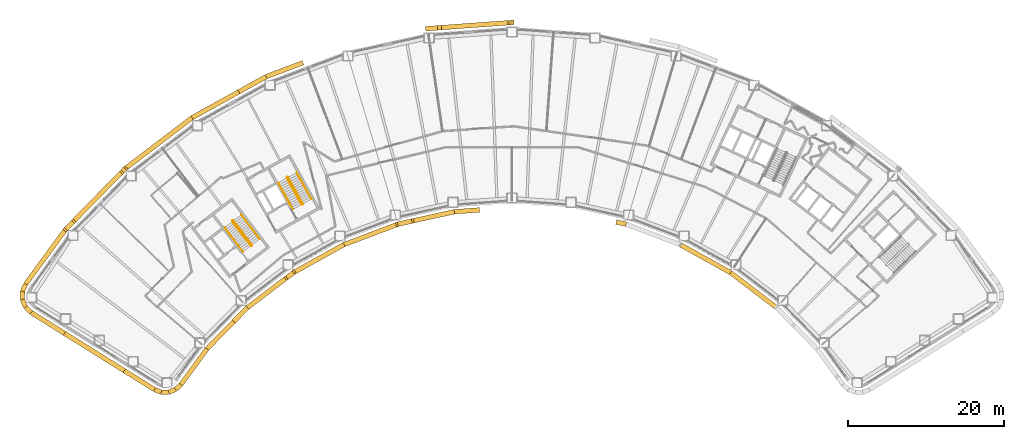
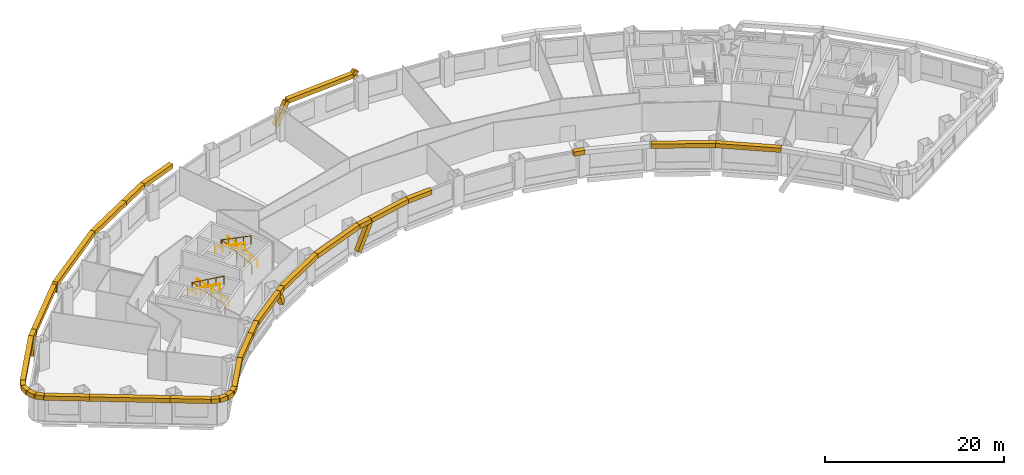
# One storey, part 10 of 11: 40 coverings, 6 railings.
"""IFC4 building model written with IfcOpenShell, lengths in metres."""

from ifc_helpers import new_model, si_unit, direction, frame, origin, origin_2d, place, context, subcontext, project, spatial, rectangle, circle, extrude, material, material_profile, profile_set, type_object, element, save


model = new_model("IFC4")

# Units and contexts
model_context = context("Model", 3, precision=1e-05, world=origin(), true_north=direction((0.0, 1.0)))
body_context = subcontext(model_context, "Body", "Model", "MODEL_VIEW")
ifc_project = project(units=[si_unit("LENGTHUNIT", "METRE"), si_unit("AREAUNIT", "SQUARE_METRE"), si_unit("VOLUMEUNIT", "CUBIC_METRE"), si_unit("PLANEANGLEUNIT", "RADIAN"), si_unit("MASSUNIT", "GRAM", prefix="KILO")], contexts=[model_context])

# Site, building, storey
site_placement = place(None, origin())
site = spatial("IfcSite", under=ifc_project, at=site_placement, CompositionType="ELEMENT")
building_placement = place(site_placement, origin())
building = spatial("IfcBuilding", under=site, at=building_placement, Name="Tuul Gate Civic Tower", CompositionType="ELEMENT")
storey_placement = place(building_placement, frame((0.0, 0.0, 35.699951171875)))
storey = spatial("IfcBuildingStorey", under=building, at=storey_placement, Name="Level 07", CompositionType="ELEMENT", Elevation=35.699951171875)

# Railings
ifc_material_1 = material(Name="Painted steel", Category="steel")
railing_type_1 = type_object("IfcRailingType", Name="Stair guard", PredefinedType="GUARDRAIL", material=ifc_material_1)
railing_1_placement = place(storey_placement, frame((-33.382080078125, -13.515380859375, 0.0)))
element("IfcRailing", 1, at=railing_1_placement, inside=storey, type_object=railing_type_1, Name="Level 07 ST-1 stair guard 1", PredefinedType="GUARDRAIL", context=body_context, shape_type="SweptSolid", body=[
    extrude(circle(Radius=0.02392578125, at=origin_2d()), frame((0.0, 0.0, 1.076171875), z_axis=(-0.795879841968, -0.605454603706, 0.0), x_axis=(0.605454603706, -0.795879841968, 0.0)), (0.0, 0.0, 1.0), 0.10009765625),
    extrude(circle(Radius=0.02392578125, at=origin_2d()), frame((-0.07958984375, -0.060546875, 1.076171875), z_axis=(0.408676696321, 0.599019267211, 0.688592241747), x_axis=(-0.826063974707, 0.563576356576, 0.0)), (0.0, 0.0, 1.0), 0.218017578125),
    extrude(circle(Radius=0.02392578125, at=origin_2d()), frame((0.009521484375, 0.070068359375, 1.22607421875), z_axis=(-0.541824460341, 0.711645023348, 0.447199748346), x_axis=(-0.795637165283, -0.60577347352, 0.0)), (0.0, 0.0, 1.0), 4.3603515625),
    extrude(circle(Radius=0.02392578125, at=origin_2d()), frame((-2.35302734375, 3.173095703125, 3.17626953125), z_axis=(-0.990893089246, 0.134650977284, 0.0), x_axis=(-0.134650977284, -0.990893089246, 0.0)), (0.0, 0.0, 1.0), 0.07080078125),
    extrude(circle(Radius=0.02392578125, at=origin_2d()), frame((-2.423095703125, 3.1826171875, 3.17626953125), z_axis=(-0.793802879778, -0.60817512943, 0.0), x_axis=(0.60817512943, -0.793802879778, 0.0)), (0.0, 0.0, 1.0), 0.099853515625),
    extrude(circle(Radius=0.02392578125, at=origin_2d()), frame((-2.50244140625, 3.121826171875, 3.17626953125), z_axis=(-0.057447065493, -0.422751481959, 0.904423031091), x_axis=(0.990893089246, -0.134650977284, 0.0)), (0.0, 0.0, 1.0), 0.165771484375),
    extrude(circle(Radius=0.02392578125, at=origin_2d()), frame((-2.511962890625, 3.0517578125, 3.326171875), z_axis=(0.541806494602, -0.71163897684, 0.447231136047), x_axis=(0.795644365679, 0.605764016233, 0.0)), (0.0, 0.0, 1.0), 4.360107421875),
    extrude(circle(Radius=0.02099609375, at=origin_2d()), origin(), (0.0, 0.0, 1.0), 1.052001953125),
    extrude(circle(Radius=0.02099609375, at=origin_2d()), frame((-0.07958984375, -0.060546875, 0.0)), (0.0, 0.0, 1.0), 1.052001953125),
    extrude(circle(Radius=0.02099609375, at=origin_2d()), frame((0.009521484375, 0.070068359375, 0.150146484375)), (0.0, 0.0, 1.0), 1.052001953125),
    extrude(circle(Radius=0.02099609375, at=origin_2d()), frame((-0.5810546875, 0.845703125, 0.6376953125)), (0.0, 0.0, 1.0), 1.052001953125),
    extrude(circle(Radius=0.02099609375, at=origin_2d()), frame((-1.171875, 1.62158203125, 1.125)), (0.0, 0.0, 1.0), 1.052001953125),
    extrude(circle(Radius=0.02099609375, at=origin_2d()), frame((-1.762451171875, 2.3974609375, 1.612548828125)), (0.0, 0.0, 1.0), 1.052001953125),
    extrude(circle(Radius=0.02099609375, at=origin_2d()), frame((-2.35302734375, 3.173095703125, 2.10009765625)), (0.0, 0.0, 1.0), 1.052001953125),
    extrude(circle(Radius=0.02099609375, at=origin_2d()), frame((-2.423095703125, 3.1826171875, 2.10009765625)), (0.0, 0.0, 1.0), 1.052001953125),
    extrude(circle(Radius=0.02099609375, at=origin_2d()), frame((-2.50244140625, 3.121826171875, 2.10009765625)), (0.0, 0.0, 1.0), 1.052001953125),
    extrude(circle(Radius=0.02099609375, at=origin_2d()), frame((-2.511962890625, 3.0517578125, 2.25)), (0.0, 0.0, 1.0), 1.052001953125),
    extrude(circle(Radius=0.02099609375, at=origin_2d()), frame((-1.92138671875, 2.276123046875, 2.737548828125)), (0.0, 0.0, 1.0), 1.052001953125),
    extrude(circle(Radius=0.02099609375, at=origin_2d()), frame((-1.330810546875, 1.50048828125, 3.22509765625)), (0.0, 0.0, 1.0), 1.052001953125),
    extrude(circle(Radius=0.02099609375, at=origin_2d()), frame((-0.740234375, 0.724609375, 3.71240234375)), (0.0, 0.0, 1.0), 1.052001953125),
    extrude(circle(Radius=0.02099609375, at=origin_2d()), frame((-0.149658203125, -0.051025390625, 4.199951171875)), (0.0, 0.0, 1.0), 1.052001953125),
])
railing_2_placement = place(storey_placement, frame((-26.857666015625, -8.247314453125, 0.0)))
element("IfcRailing", 2, at=railing_2_placement, inside=storey, type_object=railing_type_1, Name="Level 07 ST-2 stair guard 1", PredefinedType="GUARDRAIL", context=body_context, shape_type="SweptSolid", body=[
    extrude(circle(Radius=0.02392578125, at=origin_2d()), frame((0.0, 0.0, 1.076171875), z_axis=(-0.874616555828, -0.48481530532, 0.0), x_axis=(0.48481530532, -0.874616555828, 0.0)), (0.0, 0.0, 1.0), 0.10009765625),
    extrude(circle(Radius=0.02392578125, at=origin_2d()), frame((-0.087646484375, -0.048583984375, 1.076171875), z_axis=(0.490435707169, 0.534104639999, 0.688625479244), x_axis=(-0.736576986774, 0.676353711126, 0.0)), (0.0, 0.0, 1.0), 0.218017578125),
    extrude(circle(Radius=0.02392578125, at=origin_2d()), frame((0.019287109375, 0.06787109375, 1.22607421875), z_axis=(-0.43354991378, 0.782327185242, 0.447212083348), x_axis=(-0.874667644053, -0.484723129681, 0.0)), (0.0, 0.0, 1.0), 4.3603515625),
    extrude(circle(Radius=0.02392578125, at=origin_2d()), frame((-1.87109375, 3.47900390625, 3.17626953125), z_axis=(-0.961263487578, 0.275631107549, 0.0), x_axis=(-0.275631107549, -0.961263487578, 0.0)), (0.0, 0.0, 1.0), 0.07080078125),
    extrude(circle(Radius=0.02392578125, at=origin_2d()), frame((-1.939208984375, 3.49853515625, 3.17626953125), z_axis=(-0.874042088414, -0.485850211157, 0.0), x_axis=(0.485850211157, -0.874042088414, 0.0)), (0.0, 0.0, 1.0), 0.10009765625),
    extrude(circle(Radius=0.02392578125, at=origin_2d()), frame((-2.026611328125, 3.449951171875, 3.17626953125), z_axis=(-0.117866478395, -0.409586012422, 0.90462522168), x_axis=(0.961000426733, -0.276546885391, 0.0)), (0.0, 0.0, 1.0), 0.165771484375),
    extrude(circle(Radius=0.02392578125, at=origin_2d()), frame((-2.046142578125, 3.382080078125, 3.326171875), z_axis=(0.433595379963, -0.782308193291, 0.447201226726), x_axis=(0.874641102302, 0.484771020343, 0.0)), (0.0, 0.0, 1.0), 4.3603515625),
    extrude(circle(Radius=0.02099609375, at=origin_2d()), origin(), (0.0, 0.0, 1.0), 1.052001953125),
    extrude(circle(Radius=0.02099609375, at=origin_2d()), frame((-0.087646484375, -0.048583984375, 0.0)), (0.0, 0.0, 1.0), 1.052001953125),
    extrude(circle(Radius=0.02099609375, at=origin_2d()), frame((0.019287109375, 0.06787109375, 0.150146484375)), (0.0, 0.0, 1.0), 1.052001953125),
    extrude(circle(Radius=0.02099609375, at=origin_2d()), frame((-0.453369140625, 0.920654296875, 0.6376953125)), (0.0, 0.0, 1.0), 1.052001953125),
    extrude(circle(Radius=0.02099609375, at=origin_2d()), frame((-0.92578125, 1.7734375, 1.125)), (0.0, 0.0, 1.0), 1.052001953125),
    extrude(circle(Radius=0.02099609375, at=origin_2d()), frame((-1.3984375, 2.626220703125, 1.612548828125)), (0.0, 0.0, 1.0), 1.052001953125),
    extrude(circle(Radius=0.02099609375, at=origin_2d()), frame((-1.87109375, 3.47900390625, 2.10009765625)), (0.0, 0.0, 1.0), 1.052001953125),
    extrude(circle(Radius=0.02099609375, at=origin_2d()), frame((-1.939208984375, 3.49853515625, 2.10009765625)), (0.0, 0.0, 1.0), 1.052001953125),
    extrude(circle(Radius=0.02099609375, at=origin_2d()), frame((-2.026611328125, 3.449951171875, 2.10009765625)), (0.0, 0.0, 1.0), 1.052001953125),
    extrude(circle(Radius=0.02099609375, at=origin_2d()), frame((-2.046142578125, 3.382080078125, 2.25)), (0.0, 0.0, 1.0), 1.052001953125),
    extrude(circle(Radius=0.02099609375, at=origin_2d()), frame((-1.573486328125, 2.529296875, 2.737548828125)), (0.0, 0.0, 1.0), 1.052001953125),
    extrude(circle(Radius=0.02099609375, at=origin_2d()), frame((-1.100830078125, 1.676513671875, 3.22509765625)), (0.0, 0.0, 1.0), 1.052001953125),
    extrude(circle(Radius=0.02099609375, at=origin_2d()), frame((-0.628173828125, 0.82373046875, 3.71240234375)), (0.0, 0.0, 1.0), 1.052001953125),
    extrude(circle(Radius=0.02099609375, at=origin_2d()), frame((-0.155517578125, -0.029052734375, 4.199951171875)), (0.0, 0.0, 1.0), 1.052001953125),
])
ifc_material_2 = material(Name="Painted steel", Category="steel")
railing_type_2 = type_object("IfcRailingType", Name="Stair handrail", PredefinedType="HANDRAIL", material=ifc_material_2)
railing_3_placement = place(storey_placement, frame((-32.3779296875, -12.688232421875, 0.150146484375)))
element("IfcRailing", 3, at=railing_3_placement, inside=storey, type_object=railing_type_2, Name="Level 07 ST-1 stair handrail 1", PredefinedType="HANDRAIL", context=body_context, shape_type="SweptSolid", body=[
    extrude(circle(Radius=0.02392578125, at=origin_2d()), frame((0.0, 0.0, 0.8759765625), z_axis=(-0.541824460341, 0.711645023348, 0.447199748346), x_axis=(-0.795637165283, -0.60577347352, 0.0)), (0.0, 0.0, 1.0), 4.3603515625),
    extrude(circle(Radius=0.02099609375, at=origin_2d()), origin(), (0.0, 0.0, 1.0), 0.851806640625),
    extrude(circle(Radius=0.02099609375, at=origin_2d()), frame((-0.590576171875, 0.77587890625, 0.487548828125)), (0.0, 0.0, 1.0), 0.851806640625),
    extrude(circle(Radius=0.02099609375, at=origin_2d()), frame((-1.18115234375, 1.551513671875, 0.97509765625)), (0.0, 0.0, 1.0), 0.851806640625),
    extrude(circle(Radius=0.02099609375, at=origin_2d()), frame((-1.77197265625, 2.3271484375, 1.46240234375)), (0.0, 0.0, 1.0), 0.851806640625),
    extrude(circle(Radius=0.02099609375, at=origin_2d()), frame((-2.362548828125, 3.10302734375, 1.949951171875)), (0.0, 0.0, 1.0), 0.851806640625),
])
railing_4_placement = place(storey_placement, frame((-36.888671875, -11.220703125, 2.25)))
element("IfcRailing", 4, at=railing_4_placement, inside=storey, type_object=railing_type_2, Name="Level 07 ST-1 stair handrail 2", PredefinedType="HANDRAIL", context=body_context, shape_type="SweptSolid", body=[
    extrude(circle(Radius=0.02392578125, at=origin_2d()), frame((0.0, 0.0, 0.8759765625), z_axis=(0.541824460341, -0.711645023348, 0.447199748346), x_axis=(0.795637165283, 0.60577347352, 0.0)), (0.0, 0.0, 1.0), 4.3603515625),
    extrude(circle(Radius=0.02099609375, at=origin_2d()), origin(), (0.0, 0.0, 1.0), 0.851806640625),
    extrude(circle(Radius=0.02099609375, at=origin_2d()), frame((0.590576171875, -0.77587890625, 0.487548828125)), (0.0, 0.0, 1.0), 0.851806640625),
    extrude(circle(Radius=0.02099609375, at=origin_2d()), frame((1.18115234375, -1.551513671875, 0.97509765625)), (0.0, 0.0, 1.0), 0.851806640625),
    extrude(circle(Radius=0.02099609375, at=origin_2d()), frame((1.77197265625, -2.3271484375, 1.46240234375)), (0.0, 0.0, 1.0), 0.851806640625),
    extrude(circle(Radius=0.02099609375, at=origin_2d()), frame((2.362548828125, -3.10302734375, 1.949951171875)), (0.0, 0.0, 1.0), 0.851806640625),
])
railing_5_placement = place(storey_placement, frame((-25.744873046875, -7.573486328125, 0.150146484375)))
element("IfcRailing", 5, at=railing_5_placement, inside=storey, type_object=railing_type_2, Name="Level 07 ST-2 stair handrail 1", PredefinedType="HANDRAIL", context=body_context, shape_type="SweptSolid", body=[
    extrude(circle(Radius=0.02392578125, at=origin_2d()), frame((0.0, 0.0, 0.8759765625), z_axis=(-0.433595379963, 0.782308193291, 0.447201226726), x_axis=(-0.874641102302, -0.484771020343, 0.0)), (0.0, 0.0, 1.0), 4.3603515625),
    extrude(circle(Radius=0.02099609375, at=origin_2d()), origin(), (0.0, 0.0, 1.0), 0.851806640625),
    extrude(circle(Radius=0.02099609375, at=origin_2d()), frame((-0.47265625, 0.852783203125, 0.487548828125)), (0.0, 0.0, 1.0), 0.851806640625),
    extrude(circle(Radius=0.02099609375, at=origin_2d()), frame((-0.9453125, 1.70556640625, 0.97509765625)), (0.0, 0.0, 1.0), 0.851806640625),
    extrude(circle(Radius=0.02099609375, at=origin_2d()), frame((-1.41796875, 2.558349609375, 1.46240234375)), (0.0, 0.0, 1.0), 0.851806640625),
    extrude(circle(Radius=0.02099609375, at=origin_2d()), frame((-1.890625, 3.4111328125, 1.949951171875)), (0.0, 0.0, 1.0), 0.851806640625),
])
railing_6_placement = place(storey_placement, frame((-29.9970703125, -5.47119140625, 2.25)))
element("IfcRailing", 6, at=railing_6_placement, inside=storey, type_object=railing_type_2, Name="Level 07 ST-2 stair handrail 2", PredefinedType="HANDRAIL", context=body_context, shape_type="SweptSolid", body=[
    extrude(circle(Radius=0.02392578125, at=origin_2d()), frame((0.0, 0.0, 0.8759765625), z_axis=(0.433595379963, -0.782308193291, 0.447201226726), x_axis=(0.874641102302, 0.484771020343, 0.0)), (0.0, 0.0, 1.0), 4.3603515625),
    extrude(circle(Radius=0.02099609375, at=origin_2d()), origin(), (0.0, 0.0, 1.0), 0.851806640625),
    extrude(circle(Radius=0.02099609375, at=origin_2d()), frame((0.47265625, -0.852783203125, 0.487548828125)), (0.0, 0.0, 1.0), 0.851806640625),
    extrude(circle(Radius=0.02099609375, at=origin_2d()), frame((0.9453125, -1.70556640625, 0.97509765625)), (0.0, 0.0, 1.0), 0.851806640625),
    extrude(circle(Radius=0.02099609375, at=origin_2d()), frame((1.41796875, -2.558349609375, 1.46240234375)), (0.0, 0.0, 1.0), 0.851806640625),
    extrude(circle(Radius=0.02099609375, at=origin_2d()), frame((1.890625, -3.4111328125, 1.949951171875)), (0.0, 0.0, 1.0), 0.851806640625),
])

# Coverings
ifc_material_3 = material(Name="Terracotta baguette", Category="masonry")
ifc_material_profile = material_profile(ifc_material_3, rectangle(XDim=0.60009765625, YDim=0.60009765625, at=origin_2d()), Name="Terracotta baguette screen frame")
ifc_profile_set = profile_set([ifc_material_profile], Name="Terracotta baguette")
covering_type = type_object("IfcCoveringType", Name="Terracotta baguette screen frame", PredefinedType="CLADDING", material=ifc_profile_set)
for number, where, z_axis, x_axis, name in (
    (7, (0.0, 15.10205078125, 4.34912109375), (-0.473946957273, -0.034437562745, -0.879879728124), (0.072470160291, -0.997370581012, 0.0), "Baguette 70"),
    (8, (-0.268798828125, 15.08251953125, 3.85009765625), (0.473946957273, 0.034437562745, -0.879879728124), (-0.072470160291, 0.997370581012, 0.0), "Baguette 73"),
):
    element("IfcCovering", number, at=place(storey_placement, frame(where, z_axis=z_axis, x_axis=x_axis)), inside=storey, type_object=covering_type, Name=name, PredefinedType="CLADDING", context=body_context, shape_type="SweptSolid", body=[
        extrude(rectangle(XDim=0.60009765625, YDim=0.60009765625, at=origin_2d()), origin(), (0.0, 0.0, 1.0), 0.567138671875),
    ])
covering_1_placement = place(storey_placement, frame((-0.268798828125, 15.08251953125, 3.85009765625), z_axis=(-0.997386201486, -0.072254862018, 0.0), x_axis=(0.072254862018, -0.997386201486, 0.0)))
element("IfcCovering", 9, at=covering_1_placement, inside=storey, type_object=covering_type, Name="Baguette 75", PredefinedType="CLADDING", context=body_context, shape_type="SweptSolid", body=[
    extrude(rectangle(XDim=0.60009765625, YDim=0.60009765625, at=origin_2d()), origin(), (0.0, 0.0, 1.0), 9.072265625),
])
covering_2_placement = place(storey_placement, frame((-9.3173828125, 14.427001953125, 3.85009765625), z_axis=(-0.473990641609, -0.034290320545, -0.879861946889), x_axis=(0.072155305808, -0.997393408763, 0.0)))
element("IfcCovering", 10, at=covering_2_placement, inside=storey, type_object=covering_type, Name="Baguette 79", PredefinedType="CLADDING", context=body_context, shape_type="SweptSolid", body=[
    extrude(rectangle(XDim=0.60009765625, YDim=0.60009765625, at=origin_2d()), origin(), (0.0, 0.0, 1.0), 3.175537109375),
])
covering_3_placement = place(storey_placement, frame((-26.830078125, 9.93603515625, 3.85009765625), z_axis=(-0.935377183331, -0.353651699988, 0.0), x_axis=(0.353651699988, -0.935377183331, 0.0)))
element("IfcCovering", 11, at=covering_3_placement, inside=storey, type_object=covering_type, Name="Baguette 96", PredefinedType="CLADDING", context=body_context, shape_type="SweptSolid", body=[
    extrude(rectangle(XDim=0.60009765625, YDim=0.60009765625, at=origin_2d()), origin(), (0.0, 0.0, 1.0), 5.06640625),
])
covering_4_placement = place(storey_placement, frame((-31.569091796875, 8.144287109375, 3.85009765625), z_axis=(-0.874631167379, -0.484788944851, 0.0), x_axis=(0.484788944851, -0.874631167379, 0.0)))
element("IfcCovering", 12, at=covering_4_placement, inside=storey, type_object=covering_type, Name="Baguette 97", PredefinedType="CLADDING", context=body_context, shape_type="SweptSolid", body=[
    extrude(rectangle(XDim=0.60009765625, YDim=0.60009765625, at=origin_2d()), origin(), (0.0, 0.0, 1.0), 4.006103515625),
])
covering_5_placement = place(storey_placement, frame((-50.00732421875, -4.01025390625, 3.85009765625), z_axis=(0.332638810643, 0.339369245722, -0.879874955157), x_axis=(-0.714152927454, 0.699989711502, 0.0)))
element("IfcCovering", 13, at=covering_5_placement, inside=storey, type_object=covering_type, Name="Baguette 115", PredefinedType="CLADDING", context=body_context, shape_type="SweptSolid", body=[
    extrude(rectangle(XDim=0.60009765625, YDim=0.60009765625, at=origin_2d()), origin(), (0.0, 0.0, 1.0), 0.943115234375),
])
covering_6_placement = place(storey_placement, frame((-50.00732421875, -4.01025390625, 3.85009765625), z_axis=(-0.69999391998, -0.714148802415, 0.0), x_axis=(0.714148802415, -0.69999391998, 0.0)))
element("IfcCovering", 14, at=covering_6_placement, inside=storey, type_object=covering_type, Name="Baguette 117", PredefinedType="CLADDING", context=body_context, shape_type="SweptSolid", body=[
    extrude(rectangle(XDim=0.60009765625, YDim=0.60009765625, at=origin_2d()), origin(), (0.0, 0.0, 1.0), 9.072265625),
])
covering_7_placement = place(storey_placement, frame((-56.35791015625, -10.4892578125, 3.85009765625), z_axis=(-0.332611284769, -0.339322780819, -0.879903280856), x_axis=(0.714133971277, -0.700009050705, 0.0)))
element("IfcCovering", 15, at=covering_7_placement, inside=storey, type_object=covering_type, Name="Baguette 121", PredefinedType="CLADDING", context=body_context, shape_type="SweptSolid", body=[
    extrude(rectangle(XDim=0.60009765625, YDim=0.60009765625, at=origin_2d()), origin(), (0.0, 0.0, 1.0), 2.801025390625),
])
covering_8_placement = place(storey_placement, frame((-57.4453125, -24.811767578125, 3.85009765625), z_axis=(0.848058898511, -0.529901976461, 0.0), x_axis=(0.529901976461, 0.848058898511, 0.0)))
element("IfcCovering", 16, at=covering_8_placement, inside=storey, type_object=covering_type, Name="Baguette 150", PredefinedType="CLADDING", context=body_context, shape_type="SweptSolid", body=[
    extrude(rectangle(XDim=0.60009765625, YDim=0.60009765625, at=origin_2d()), origin(), (0.0, 0.0, 1.0), 9.05322265625),
])
covering_9_placement = place(storey_placement, frame((-35.70751953125, -23.27880859375, 3.85009765625), z_axis=(0.70003698075, 0.714106592591, 0.0), x_axis=(-0.714106592591, 0.70003698075, 0.0)))
element("IfcCovering", 17, at=covering_9_placement, inside=storey, type_object=covering_type, Name="Baguette 181", PredefinedType="CLADDING", context=body_context, shape_type="SweptSolid", body=[
    extrude(rectangle(XDim=0.60009765625, YDim=0.60009765625, at=origin_2d()), origin(), (0.0, 0.0, 1.0), 2.4814453125),
])
covering_10_placement = place(storey_placement, frame((-33.970458984375, -21.5068359375, 3.85009765625), z_axis=(0.795582127789, 0.60584575425, 0.0), x_axis=(-0.60584575425, 0.795582127789, 0.0)))
element("IfcCovering", 18, at=covering_10_placement, inside=storey, type_object=covering_type, Name="Baguette 182", PredefinedType="CLADDING", context=body_context, shape_type="SweptSolid", body=[
    extrude(rectangle(XDim=0.60009765625, YDim=0.60009765625, at=origin_2d()), origin(), (0.0, 0.0, 1.0), 6.37060546875),
])
covering_11_placement = place(storey_placement, frame((-28.902099609375, -17.647216796875, 3.85009765625), z_axis=(0.37085661759, 0.282407368625, -0.884709809675), x_axis=(-0.605839521282, 0.795586874234, 0.0)))
element("IfcCovering", 19, at=covering_11_placement, inside=storey, type_object=covering_type, Name="Baguette 186", PredefinedType="CLADDING", context=body_context, shape_type="SweptSolid", body=[
    extrude(rectangle(XDim=0.60009765625, YDim=0.60009765625, at=origin_2d()), origin(), (0.0, 0.0, 1.0), 2.246826171875),
])
covering_12_placement = place(storey_placement, frame((-12.864501953125, -10.40087890625, 3.85009765625), z_axis=(-0.455228552441, -0.100321546982, -0.884704782542), x_axis=(0.215212210255, -0.976567306721, 0.0)))
element("IfcCovering", 20, at=covering_12_placement, inside=storey, type_object=covering_type, Name="Baguette 204", PredefinedType="CLADDING", context=body_context, shape_type="SweptSolid", body=[
    extrude(rectangle(XDim=0.60009765625, YDim=0.60009765625, at=origin_2d()), origin(), (0.0, 0.0, 1.0), 3.906005859375),
])
covering_13_placement = place(storey_placement, frame((-12.864501953125, -10.40087890625, 3.85009765625), z_axis=(0.976556146559, 0.21526284542, 0.0), x_axis=(-0.21526284542, 0.976556146559, 0.0)))
element("IfcCovering", 21, at=covering_13_placement, inside=storey, type_object=covering_type, Name="Baguette 206", PredefinedType="CLADDING", context=body_context, shape_type="SweptSolid", body=[
    extrude(rectangle(XDim=0.60009765625, YDim=0.60009765625, at=origin_2d()), origin(), (0.0, 0.0, 1.0), 5.596923828125),
])
covering_14_placement = place(storey_placement, frame((-7.398681640625, -9.196044921875, 3.85009765625), z_axis=(0.997393564609, 0.072153151538, 0.0), x_axis=(-0.072153151538, 0.997393564609, 0.0)))
element("IfcCovering", 22, at=covering_14_placement, inside=storey, type_object=covering_type, Name="Baguette 207", PredefinedType="CLADDING", context=body_context, shape_type="SweptSolid", body=[
    extrude(rectangle(XDim=0.60009765625, YDim=0.60009765625, at=origin_2d()), origin(), (0.0, 0.0, 1.0), 3.255126953125),
])
covering_15_placement = place(storey_placement, frame((13.3779296875, -10.513916015625, 3.85009765625), z_axis=(0.97654942651, -0.215293329165, 0.0), x_axis=(0.215293329165, 0.97654942651, 0.0)))
element("IfcCovering", 23, at=covering_15_placement, inside=storey, type_object=covering_type, Name="Baguette 229", PredefinedType="CLADDING", context=body_context, shape_type="SweptSolid", body=[
    extrude(rectangle(XDim=0.60009765625, YDim=0.60009765625, at=origin_2d()), origin(), (0.0, 0.0, 1.0), 1.294921875),
])
covering_16_placement = place(storey_placement, frame((-35.072998046875, 6.2021484375, 3.85009765625), z_axis=(-0.874624559601, -0.484800866071, 0.0), x_axis=(0.484800866071, -0.874624559601, 0.0)))
element("IfcCovering", 24, at=covering_16_placement, inside=storey, type_object=covering_type, Name="Baguette 305", PredefinedType="CLADDING", context=body_context, shape_type="SweptSolid", body=[
    extrude(rectangle(XDim=0.60009765625, YDim=0.60009765625, at=origin_2d()), origin(), (0.0, 0.0, 1.0), 6.84521484375),
])
covering_17_placement = place(storey_placement, frame((-41.06005859375, 2.883544921875, 3.85009765625), z_axis=(-0.795618643442, -0.605797799771, 0.0), x_axis=(0.605797799771, -0.795618643442, 0.0)))
element("IfcCovering", 25, at=covering_17_placement, inside=storey, type_object=covering_type, Name="Baguette 306", PredefinedType="CLADDING", context=body_context, shape_type="SweptSolid", body=[
    extrude(rectangle(XDim=0.60009765625, YDim=0.60009765625, at=origin_2d()), origin(), (0.0, 0.0, 1.0), 10.851318359375),
])
covering_18_placement = place(storey_placement, frame((-49.693603515625, -3.690185546875, 3.85009765625), z_axis=(-0.699989711502, -0.714152927454, 0.0), x_axis=(0.714152927454, -0.699989711502, 0.0)))
element("IfcCovering", 26, at=covering_18_placement, inside=storey, type_object=covering_type, Name="Baguette 307", PredefinedType="CLADDING", context=body_context, shape_type="SweptSolid", body=[
    extrude(rectangle(XDim=0.60009765625, YDim=0.60009765625, at=origin_2d()), origin(), (0.0, 0.0, 1.0), 0.4482421875),
])
covering_19_placement = place(storey_placement, frame((-56.35791015625, -10.4892578125, 3.85009765625), z_axis=(-0.700009050705, -0.714133971277, 0.0), x_axis=(0.714133971277, -0.700009050705, 0.0)))
element("IfcCovering", 27, at=covering_19_placement, inside=storey, type_object=covering_type, Name="Baguette 314", PredefinedType="CLADDING", context=body_context, shape_type="SweptSolid", body=[
    extrude(rectangle(XDim=0.60009765625, YDim=0.60009765625, at=origin_2d()), origin(), (0.0, 0.0, 1.0), 1.330810546875),
])
covering_20_placement = place(storey_placement, frame((-57.28955078125, -11.439697265625, 3.85009765625), z_axis=(-0.589817537275, -0.80753654575, 0.0), x_axis=(0.80753654575, -0.589817537275, 0.0)))
element("IfcCovering", 28, at=covering_20_placement, inside=storey, type_object=covering_type, Name="Baguette 315", PredefinedType="CLADDING", context=body_context, shape_type="SweptSolid", body=[
    extrude(rectangle(XDim=0.60009765625, YDim=0.60009765625, at=origin_2d()), origin(), (0.0, 0.0, 1.0), 8.734130859375),
])
covering_21_placement = place(storey_placement, frame((-62.441162109375, -18.492919921875, 3.85009765625), z_axis=(-0.412928742672, -0.910763335601, 0.0), x_axis=(0.910763335601, -0.412928742672, 0.0)))
element("IfcCovering", 29, at=covering_21_placement, inside=storey, type_object=covering_type, Name="Baguette 316", PredefinedType="CLADDING", context=body_context, shape_type="SweptSolid", body=[
    extrude(rectangle(XDim=0.60009765625, YDim=0.60009765625, at=origin_2d()), origin(), (0.0, 0.0, 1.0), 0.9892578125),
])
covering_22_placement = place(storey_placement, frame((-62.849609375, -19.393798828125, 3.85009765625), z_axis=(-0.014650442147, -0.999892676513, 0.0), x_axis=(0.999892676513, -0.014650442147, 0.0)))
element("IfcCovering", 30, at=covering_22_placement, inside=storey, type_object=covering_type, Name="Baguette 317", PredefinedType="CLADDING", context=body_context, shape_type="SweptSolid", body=[
    extrude(rectangle(XDim=0.60009765625, YDim=0.60009765625, at=origin_2d()), origin(), (0.0, 0.0, 1.0), 1.06640625),
])
covering_23_placement = place(storey_placement, frame((-62.865234375, -20.460205078125, 3.85009765625), z_axis=(0.385784883999, -0.922588761734, 0.0), x_axis=(0.922588761734, 0.385784883999, 0.0)))
element("IfcCovering", 31, at=covering_23_placement, inside=storey, type_object=covering_type, Name="Baguette 318", PredefinedType="CLADDING", context=body_context, shape_type="SweptSolid", body=[
    extrude(rectangle(XDim=0.60009765625, YDim=0.60009765625, at=origin_2d()), origin(), (0.0, 0.0, 1.0), 1.06689453125),
])
covering_24_placement = place(storey_placement, frame((-62.45361328125, -21.444580078125, 3.85009765625), z_axis=(0.722137314744, -0.691749737011, 0.0), x_axis=(0.691749737011, 0.722137314744, 0.0)))
element("IfcCovering", 32, at=covering_24_placement, inside=storey, type_object=covering_type, Name="Baguette 319", PredefinedType="CLADDING", context=body_context, shape_type="SweptSolid", body=[
    extrude(rectangle(XDim=0.60009765625, YDim=0.60009765625, at=origin_2d()), origin(), (0.0, 0.0, 1.0), 0.98828125),
])
covering_25_placement = place(storey_placement, frame((-61.739990234375, -22.128173828125, 3.85009765625), z_axis=(0.848049759371, -0.529916602524, 0.0), x_axis=(0.529916602524, 0.848049759371, 0.0)))
element("IfcCovering", 33, at=covering_25_placement, inside=storey, type_object=covering_type, Name="Baguette 320", PredefinedType="CLADDING", context=body_context, shape_type="SweptSolid", body=[
    extrude(rectangle(XDim=0.60009765625, YDim=0.60009765625, at=origin_2d()), origin(), (0.0, 0.0, 1.0), 5.064208984375),
])
covering_26_placement = place(storey_placement, frame((-49.767578125, -29.609130859375, 3.85009765625), z_axis=(0.848046231168, -0.529922248827, 0.0), x_axis=(0.529922248827, 0.848046231168, 0.0)))
element("IfcCovering", 34, at=covering_26_placement, inside=storey, type_object=covering_type, Name="Baguette 329", PredefinedType="CLADDING", context=body_context, shape_type="SweptSolid", body=[
    extrude(rectangle(XDim=0.60009765625, YDim=0.60009765625, at=origin_2d()), origin(), (0.0, 0.0, 1.0), 4.57861328125),
])
covering_27_placement = place(storey_placement, frame((-45.884765625, -32.035400390625, 3.85009765625), z_axis=(0.93189278144, -0.362733847194, 0.0), x_axis=(0.362733847194, 0.93189278144, 0.0)))
element("IfcCovering", 35, at=covering_27_placement, inside=storey, type_object=covering_type, Name="Baguette 330", PredefinedType="CLADDING", context=body_context, shape_type="SweptSolid", body=[
    extrude(rectangle(XDim=0.60009765625, YDim=0.60009765625, at=origin_2d()), origin(), (0.0, 0.0, 1.0), 0.901123046875),
])
covering_28_placement = place(storey_placement, frame((-45.044921875, -32.3623046875, 3.85009765625), z_axis=(0.999996192163, 0.002759648297, 0.0), x_axis=(-0.002759648297, 0.999996192163, 0.0)))
element("IfcCovering", 36, at=covering_28_placement, inside=storey, type_object=covering_type, Name="Baguette 331", PredefinedType="CLADDING", context=body_context, shape_type="SweptSolid", body=[
    extrude(rectangle(XDim=0.60009765625, YDim=0.60009765625, at=origin_2d()), origin(), (0.0, 0.0, 1.0), 0.97314453125),
])
covering_29_placement = place(storey_placement, frame((-44.07177734375, -32.359619140625, 3.85009765625), z_axis=(0.929647485715, 0.36845020329, 0.0), x_axis=(-0.36845020329, 0.929647485715, 0.0)))
element("IfcCovering", 37, at=covering_29_placement, inside=storey, type_object=covering_type, Name="Baguette 332", PredefinedType="CLADDING", context=body_context, shape_type="SweptSolid", body=[
    extrude(rectangle(XDim=0.60009765625, YDim=0.60009765625, at=origin_2d()), origin(), (0.0, 0.0, 1.0), 0.97412109375),
])
covering_30_placement = place(storey_placement, frame((-43.166259765625, -32.000732421875, 3.85009765625), z_axis=(0.730001285686, 0.683445771731, 0.0), x_axis=(-0.683445771731, 0.730001285686, 0.0)))
element("IfcCovering", 38, at=covering_30_placement, inside=storey, type_object=covering_type, Name="Baguette 333", PredefinedType="CLADDING", context=body_context, shape_type="SweptSolid", body=[
    extrude(rectangle(XDim=0.60009765625, YDim=0.60009765625, at=origin_2d()), origin(), (0.0, 0.0, 1.0), 0.902099609375),
])
covering_31_placement = place(storey_placement, frame((-42.5078125, -31.38427734375, 3.85009765625), z_axis=(0.589729447422, 0.807600878432, 0.0), x_axis=(-0.807600878432, 0.589729447422, 0.0)))
element("IfcCovering", 39, at=covering_31_placement, inside=storey, type_object=covering_type, Name="Baguette 334", PredefinedType="CLADDING", context=body_context, shape_type="SweptSolid", body=[
    extrude(rectangle(XDim=0.60009765625, YDim=0.60009765625, at=origin_2d()), origin(), (0.0, 0.0, 1.0), 5.671142578125),
])
covering_32_placement = place(storey_placement, frame((-39.163330078125, -26.80419921875, 3.85009765625), z_axis=(0.700024437116, 0.71411888887, 0.0), x_axis=(-0.71411888887, 0.700024437116, 0.0)))
element("IfcCovering", 40, at=covering_32_placement, inside=storey, type_object=covering_type, Name="Baguette 335", PredefinedType="CLADDING", context=body_context, shape_type="SweptSolid", body=[
    extrude(rectangle(XDim=0.60009765625, YDim=0.60009765625, at=origin_2d()), origin(), (0.0, 0.0, 1.0), 4.936767578125),
])
covering_33_placement = place(storey_placement, frame((-28.902099609375, -17.647216796875, 3.85009765625), z_axis=(0.795586874234, 0.605839521282, 0.0), x_axis=(-0.605839521282, 0.795586874234, 0.0)))
element("IfcCovering", 41, at=covering_33_placement, inside=storey, type_object=covering_type, Name="Baguette 346", PredefinedType="CLADDING", context=body_context, shape_type="SweptSolid", body=[
    extrude(rectangle(XDim=0.60009765625, YDim=0.60009765625, at=origin_2d()), origin(), (0.0, 0.0, 1.0), 1.04736328125),
])
covering_34_placement = place(storey_placement, frame((-28.06884765625, -17.0126953125, 3.85009765625), z_axis=(0.874616400337, 0.484815585828, 0.0), x_axis=(-0.484815585828, 0.874616400337, 0.0)))
element("IfcCovering", 42, at=covering_34_placement, inside=storey, type_object=covering_type, Name="Baguette 347", PredefinedType="CLADDING", context=body_context, shape_type="SweptSolid", body=[
    extrude(rectangle(XDim=0.60009765625, YDim=0.60009765625, at=origin_2d()), origin(), (0.0, 0.0, 1.0), 7.418212890625),
])
covering_35_placement = place(storey_placement, frame((-21.580810546875, -13.416259765625, 3.85009765625), z_axis=(0.935363965038, 0.353686659217, 0.0), x_axis=(-0.353686659217, 0.935363965038, 0.0)))
element("IfcCovering", 43, at=covering_35_placement, inside=storey, type_object=covering_type, Name="Baguette 348", PredefinedType="CLADDING", context=body_context, shape_type="SweptSolid", body=[
    extrude(rectangle(XDim=0.60009765625, YDim=0.60009765625, at=origin_2d()), origin(), (0.0, 0.0, 1.0), 7.417724609375),
])
covering_36_placement = place(storey_placement, frame((-14.642578125, -10.792724609375, 3.85009765625), z_axis=(0.976567306721, 0.215212210255, 0.0), x_axis=(-0.215212210255, 0.976567306721, 0.0)))
element("IfcCovering", 44, at=covering_36_placement, inside=storey, type_object=covering_type, Name="Baguette 349", PredefinedType="CLADDING", context=body_context, shape_type="SweptSolid", body=[
    extrude(rectangle(XDim=0.60009765625, YDim=0.60009765625, at=origin_2d()), origin(), (0.0, 0.0, 1.0), 1.82080078125),
])
covering_37_placement = place(storey_placement, frame((21.70263671875, -13.48388671875, 3.85009765625), z_axis=(0.874622022886, -0.484805442506, 0.0), x_axis=(0.484805442506, 0.874622022886, 0.0)))
element("IfcCovering", 45, at=covering_37_placement, inside=storey, type_object=covering_type, Name="Baguette 364", PredefinedType="CLADDING", context=body_context, shape_type="SweptSolid", body=[
    extrude(rectangle(XDim=0.60009765625, YDim=0.60009765625, at=origin_2d()), origin(), (0.0, 0.0, 1.0), 7.27880859375),
])
covering_38_placement = place(storey_placement, frame((28.06884765625, -17.0126953125, 3.85009765625), z_axis=(0.795582797942, -0.60584487422, 0.0), x_axis=(0.60584487422, 0.795582797942, 0.0)))
element("IfcCovering", 46, at=covering_38_placement, inside=storey, type_object=covering_type, Name="Baguette 365", PredefinedType="CLADDING", context=body_context, shape_type="SweptSolid", body=[
    extrude(rectangle(XDim=0.60009765625, YDim=0.60009765625, at=origin_2d()), origin(), (0.0, 0.0, 1.0), 7.41796875),
])

save(model, "model.ifc")
